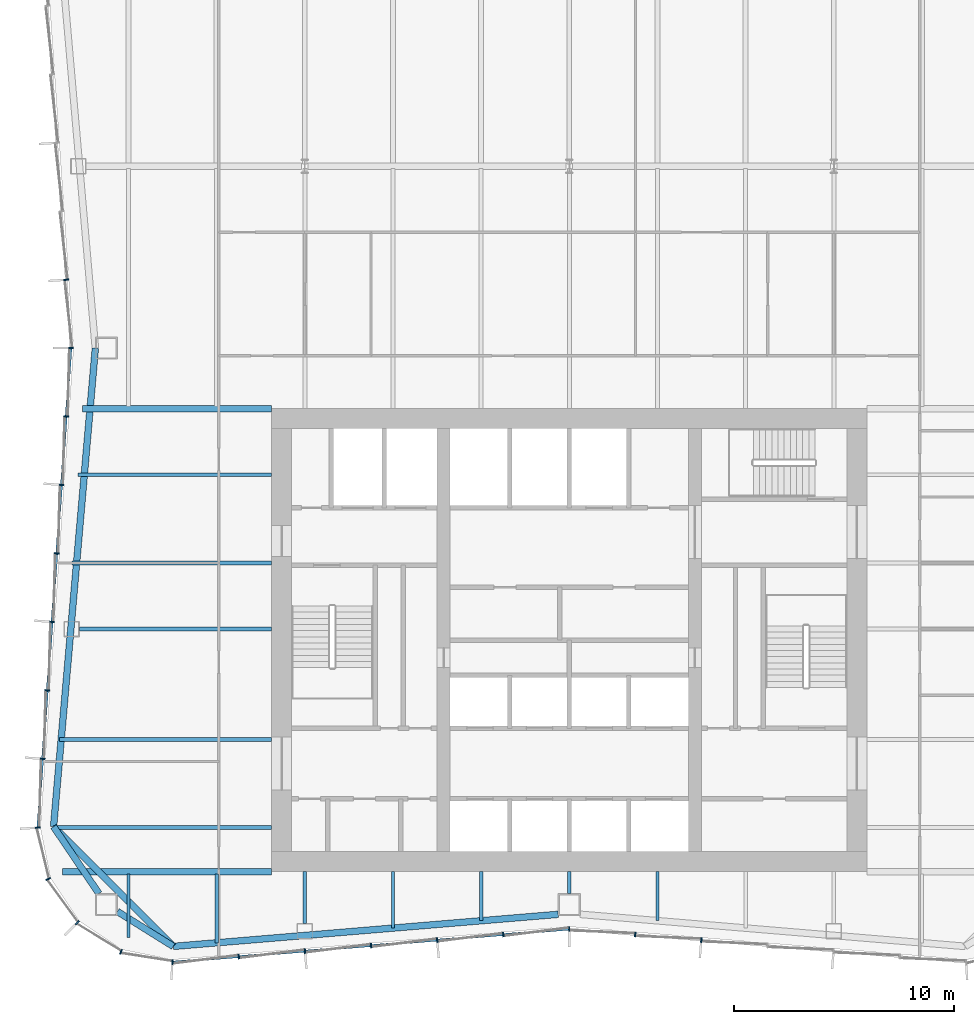
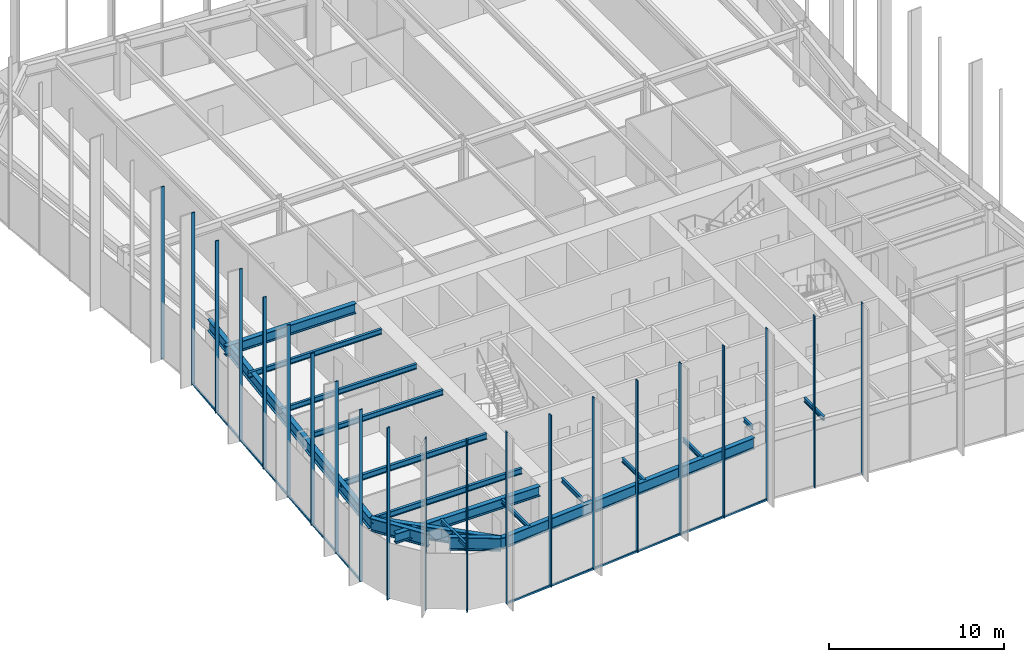
# One storey, part 2 of 13: 23 members, 19 beams, 3 elements without a shape of their own.
"""IFC4 building model written with IfcOpenShell, lengths in metres."""

from ifc_helpers import new_model, si_unit, direction, frame, origin, origin_2d, place, context, subcontext, project, spatial, rectangle, i_section, extrude, material, material_profile, profile_set, type_object, element, aggregate, save


model = new_model("IFC4")

# Units and contexts
model_context = context("Model", 3, precision=1e-05, world=origin(), true_north=direction((0.0, 1.0)))
body_context = subcontext(model_context, "Body", "Model", "MODEL_VIEW")
ifc_project = project(units=[si_unit("LENGTHUNIT", "METRE"), si_unit("AREAUNIT", "SQUARE_METRE"), si_unit("VOLUMEUNIT", "CUBIC_METRE"), si_unit("PLANEANGLEUNIT", "RADIAN"), si_unit("MASSUNIT", "GRAM", prefix="KILO")], contexts=[model_context])

# Site, building, storey
site_placement = place(None, origin())
site = spatial("IfcSite", under=ifc_project, at=site_placement, CompositionType="ELEMENT")
building_placement = place(site_placement, origin())
building = spatial("IfcBuilding", under=site, at=building_placement, Name="Verdant Reach Tower", CompositionType="ELEMENT")
storey_placement = place(building_placement, frame((0.0, 0.0, 206.0)))
storey = spatial("IfcBuildingStorey", under=building, at=storey_placement, Name="L47", CompositionType="ELEMENT", Elevation=206.0)

# Curtain wall, members
ifc_material_1 = material(Name="Anodised aluminium", Category="aluminium")
curtain_wall_type = type_object("IfcCurtainWallType", Name="EN-CW SYSTEM Z3", PredefinedType="NOTDEFINED", material=ifc_material_1)
curtain_wall_1_placement = place(storey_placement, origin())
curtain_wall_1 = element("IfcCurtainWall", 1, at=curtain_wall_1_placement, inside=storey, type_object=curtain_wall_type, Name="Curtain wall west, L47", PredefinedType="NOTDEFINED")
ifc_material_profile_1 = material_profile(ifc_material_1, rectangle(XDim=0.218017578125, YDim=0.06591796875, at=origin_2d()), Name="Mullion 66x218")
ifc_profile_set_1 = profile_set([ifc_material_profile_1], Name="Anodised aluminium")
member_type_1 = type_object("IfcMemberType", Name="EN-MULLION Z3", PredefinedType="MULLION", material=ifc_profile_set_1)
member_1_placement = place(storey_placement, frame((-22.822998046875, 44.349609375, -0.35009765625), z_axis=(0.0, 0.0, 1.0), x_axis=(-0.997630328423, -0.068802091615, 0.0)))
member_1 = element("IfcMember", 2, at=member_1_placement, type_object=member_type_1, Name="Mullion west face part 1 7, L47", PredefinedType="MULLION", context=body_context, shape_type="SweptSolid", body=[
    extrude(rectangle(XDim=0.218017578125, YDim=0.06591796875, at=origin_2d()), origin(), (0.0, 0.0, 1.0), 12.0),
])
member_2_placement = place(storey_placement, frame((-22.60888671875, 41.25, -0.35009765625), z_axis=(0.0, 0.0, 1.0), x_axis=(-1.0, 0.0, 0.0)))
member_2 = element("IfcMember", 3, at=member_2_placement, type_object=member_type_1, Name="Mullion west face part 2 1, L47", PredefinedType="MULLION", context=body_context, shape_type="SweptSolid", body=[
    extrude(rectangle(XDim=0.218017578125, YDim=0.06591796875, at=origin_2d()), origin(), (0.0, 0.0, 1.0), 12.0),
])
member_3_placement = place(storey_placement, frame((-22.822998046875, 38.150390625, -0.35009765625), z_axis=(0.0, 0.0, 1.0), x_axis=(-0.997630328423, 0.068802091615, 0.0)))
member_3 = element("IfcMember", 4, at=member_3_placement, type_object=member_type_1, Name="Mullion west face part 2 2, L47", PredefinedType="MULLION", context=body_context, shape_type="SweptSolid", body=[
    extrude(rectangle(XDim=0.218017578125, YDim=0.06591796875, at=origin_2d()), origin(), (0.0, 0.0, 1.0), 12.0),
])
member_4_placement = place(storey_placement, frame((-23.037353515625, 35.043212890625, -0.35009765625), z_axis=(0.0, 0.0, 1.0), x_axis=(-0.997630328423, 0.068802091615, 0.0)))
member_4 = element("IfcMember", 5, at=member_4_placement, type_object=member_type_1, Name="Mullion west face part 2 3, L47", PredefinedType="MULLION", context=body_context, shape_type="SweptSolid", body=[
    extrude(rectangle(XDim=0.218017578125, YDim=0.06591796875, at=origin_2d()), origin(), (0.0, 0.0, 1.0), 12.0),
])
member_5_placement = place(storey_placement, frame((-23.251708984375, 31.93603515625, -0.35009765625), z_axis=(0.0, 0.0, 1.0), x_axis=(-0.997630328423, 0.068802091615, 0.0)))
member_5 = element("IfcMember", 6, at=member_5_placement, type_object=member_type_1, Name="Mullion west face part 2 4, L47", PredefinedType="MULLION", context=body_context, shape_type="SweptSolid", body=[
    extrude(rectangle(XDim=0.218017578125, YDim=0.06591796875, at=origin_2d()), origin(), (0.0, 0.0, 1.0), 12.0),
])
member_6_placement = place(storey_placement, frame((-23.4658203125, 28.828857421875, -0.35009765625), z_axis=(0.0, 0.0, 1.0), x_axis=(-0.997630328423, 0.068802091615, 0.0)))
member_6 = element("IfcMember", 7, at=member_6_placement, type_object=member_type_1, Name="Mullion west face part 2 5, L47", PredefinedType="MULLION", context=body_context, shape_type="SweptSolid", body=[
    extrude(rectangle(XDim=0.218017578125, YDim=0.06591796875, at=origin_2d()), origin(), (0.0, 0.0, 1.0), 12.0),
])
member_7_placement = place(storey_placement, frame((-23.68017578125, 25.7216796875, -0.35009765625), z_axis=(0.0, 0.0, 1.0), x_axis=(-0.997630328423, 0.068802091615, 0.0)))
member_7 = element("IfcMember", 8, at=member_7_placement, type_object=member_type_1, Name="Mullion west face part 2 6, L47", PredefinedType="MULLION", context=body_context, shape_type="SweptSolid", body=[
    extrude(rectangle(XDim=0.218017578125, YDim=0.06591796875, at=origin_2d()), origin(), (0.0, 0.0, 1.0), 12.0),
])
member_8_placement = place(storey_placement, frame((-23.89453125, 22.61474609375, -0.35009765625), z_axis=(0.0, 0.0, 1.0), x_axis=(-0.997630328423, 0.068802091615, 0.0)))
member_8 = element("IfcMember", 9, at=member_8_placement, type_object=member_type_1, Name="Mullion west face part 2 7, L47", PredefinedType="MULLION", context=body_context, shape_type="SweptSolid", body=[
    extrude(rectangle(XDim=0.218017578125, YDim=0.06591796875, at=origin_2d()), origin(), (0.0, 0.0, 1.0), 12.0),
])

curtain_wall_2_placement = place(storey_placement, origin())
curtain_wall_2 = element("IfcCurtainWall", 10, at=curtain_wall_2_placement, inside=storey, type_object=curtain_wall_type, Name="Curtain wall south-west corner, L47", PredefinedType="NOTDEFINED")
member_9_placement = place(storey_placement, frame((-24.10888671875, 19.4931640625, -0.35009765625), z_axis=(0.0, 0.0, 1.0), x_axis=(-0.997969180898, -0.063698618332, 0.0)))
member_9 = element("IfcMember", 11, at=member_9_placement, type_object=member_type_1, Name="Mullion south-west corner 1, L47", PredefinedType="MULLION", context=body_context, shape_type="SweptSolid", body=[
    extrude(rectangle(XDim=0.218017578125, YDim=0.06591796875, at=origin_2d()), origin(), (0.0, 0.0, 1.0), 12.0),
])
member_10_placement = place(storey_placement, frame((-23.64404296875, 17.162109375, -0.35009765625), z_axis=(0.0, 0.0, 1.0), x_axis=(-0.923875215753, -0.382693853776, 0.0)))
member_10 = element("IfcMember", 12, at=member_10_placement, type_object=member_type_1, Name="Mullion south-west corner 2, L47", PredefinedType="MULLION", context=body_context, shape_type="SweptSolid", body=[
    extrude(rectangle(XDim=0.218017578125, YDim=0.06591796875, at=origin_2d()), origin(), (0.0, 0.0, 1.0), 12.0),
])
member_11_placement = place(storey_placement, frame((-22.319580078125, 15.180419921875, -0.35009765625), z_axis=(0.0, 0.0, 1.0), x_axis=(-0.707106781187, -0.707106781187, 0.0)))
member_11 = element("IfcMember", 13, at=member_11_placement, type_object=member_type_1, Name="Mullion south-west corner 3, L47", PredefinedType="MULLION", context=body_context, shape_type="SweptSolid", body=[
    extrude(rectangle(XDim=0.218017578125, YDim=0.06591796875, at=origin_2d()), origin(), (0.0, 0.0, 1.0), 12.0),
])
member_12_placement = place(storey_placement, frame((-20.337890625, 13.85595703125, -0.35009765625), z_axis=(0.0, 0.0, 1.0), x_axis=(-0.382693853776, -0.923875215753, 0.0)))
member_12 = element("IfcMember", 14, at=member_12_placement, type_object=member_type_1, Name="Mullion south-west corner 4, L47", PredefinedType="MULLION", context=body_context, shape_type="SweptSolid", body=[
    extrude(rectangle(XDim=0.218017578125, YDim=0.06591796875, at=origin_2d()), origin(), (0.0, 0.0, 1.0), 12.0),
])
aggregate(curtain_wall_2, [member_9, member_10, member_11, member_12])

curtain_wall_3_placement = place(storey_placement, origin())
curtain_wall_3 = element("IfcCurtainWall", 15, at=curtain_wall_3_placement, inside=storey, type_object=curtain_wall_type, Name="Curtain wall south, L47", PredefinedType="NOTDEFINED")
member_13_placement = place(storey_placement, frame((-18.006103515625, 13.39111328125, -0.35009765625), z_axis=(0.0, 0.0, 1.0), x_axis=(-0.056569187765, -0.998398681387, 0.0)))
member_13 = element("IfcMember", 16, at=member_13_placement, type_object=member_type_1, Name="Mullion south face part 1 1, L47", PredefinedType="MULLION", context=body_context, shape_type="SweptSolid", body=[
    extrude(rectangle(XDim=0.218017578125, YDim=0.06591796875, at=origin_2d()), origin(), (0.0, 0.0, 1.0), 12.0),
])
member_14_placement = place(storey_placement, frame((-14.990966796875, 13.641357421875, -0.35009765625), z_axis=(0.0, 0.0, 1.0), x_axis=(0.083045479859, -0.996545758244, 0.0)))
member_14 = element("IfcMember", 17, at=member_14_placement, type_object=member_type_1, Name="Mullion south face part 1 2, L47", PredefinedType="MULLION", context=body_context, shape_type="SweptSolid", body=[
    extrude(rectangle(XDim=0.218017578125, YDim=0.06591796875, at=origin_2d()), origin(), (0.0, 0.0, 1.0), 12.0),
])
member_15_placement = place(storey_placement, frame((-11.990966796875, 13.891357421875, -0.35009765625), z_axis=(0.0, 0.0, 1.0), x_axis=(0.083045479859, -0.996545758244, 0.0)))
member_15 = element("IfcMember", 18, at=member_15_placement, type_object=member_type_1, Name="Mullion south face part 1 3, L47", PredefinedType="MULLION", context=body_context, shape_type="SweptSolid", body=[
    extrude(rectangle(XDim=0.218017578125, YDim=0.06591796875, at=origin_2d()), origin(), (0.0, 0.0, 1.0), 12.0),
])
member_16_placement = place(storey_placement, frame((-8.990966796875, 14.141357421875, -0.35009765625), z_axis=(0.0, 0.0, 1.0), x_axis=(0.083045479859, -0.996545758244, 0.0)))
member_16 = element("IfcMember", 19, at=member_16_placement, type_object=member_type_1, Name="Mullion south face part 1 4, L47", PredefinedType="MULLION", context=body_context, shape_type="SweptSolid", body=[
    extrude(rectangle(XDim=0.218017578125, YDim=0.06591796875, at=origin_2d()), origin(), (0.0, 0.0, 1.0), 12.0),
])
member_17_placement = place(storey_placement, frame((-5.990966796875, 14.391357421875, -0.35009765625), z_axis=(0.0, 0.0, 1.0), x_axis=(0.083045479859, -0.996545758244, 0.0)))
member_17 = element("IfcMember", 20, at=member_17_placement, type_object=member_type_1, Name="Mullion south face part 1 5, L47", PredefinedType="MULLION", context=body_context, shape_type="SweptSolid", body=[
    extrude(rectangle(XDim=0.218017578125, YDim=0.06591796875, at=origin_2d()), origin(), (0.0, 0.0, 1.0), 12.0),
])
member_18_placement = place(storey_placement, frame((-2.990966796875, 14.641357421875, -0.35009765625), z_axis=(0.0, 0.0, 1.0), x_axis=(0.083045479859, -0.996545758244, 0.0)))
member_18 = element("IfcMember", 21, at=member_18_placement, type_object=member_type_1, Name="Mullion south face part 1 6, L47", PredefinedType="MULLION", context=body_context, shape_type="SweptSolid", body=[
    extrude(rectangle(XDim=0.218017578125, YDim=0.06591796875, at=origin_2d()), origin(), (0.0, 0.0, 1.0), 12.0),
])
member_19_placement = place(storey_placement, frame((0.0, 14.89111328125, -0.35009765625), z_axis=(0.0, 0.0, 1.0), x_axis=(0.0, -1.0, 0.0)))
member_19 = element("IfcMember", 22, at=member_19_placement, type_object=member_type_1, Name="Mullion south face part 2 1, L47", PredefinedType="MULLION", context=body_context, shape_type="SweptSolid", body=[
    extrude(rectangle(XDim=0.218017578125, YDim=0.06591796875, at=origin_2d()), origin(), (0.0, 0.0, 1.0), 12.0),
])
member_20_placement = place(storey_placement, frame((2.990966796875, 14.641357421875, -0.35009765625), z_axis=(0.0, 0.0, 1.0), x_axis=(-0.083045479859, -0.996545758244, 0.0)))
member_20 = element("IfcMember", 23, at=member_20_placement, type_object=member_type_1, Name="Mullion south face part 2 2, L47", PredefinedType="MULLION", context=body_context, shape_type="SweptSolid", body=[
    extrude(rectangle(XDim=0.218017578125, YDim=0.06591796875, at=origin_2d()), origin(), (0.0, 0.0, 1.0), 12.0),
])
member_21_placement = place(storey_placement, frame((5.990966796875, 14.391357421875, -0.35009765625), z_axis=(0.0, 0.0, 1.0), x_axis=(-0.083045479859, -0.996545758244, 0.0)))
member_21 = element("IfcMember", 24, at=member_21_placement, type_object=member_type_1, Name="Mullion south face part 2 3, L47", PredefinedType="MULLION", context=body_context, shape_type="SweptSolid", body=[
    extrude(rectangle(XDim=0.218017578125, YDim=0.06591796875, at=origin_2d()), origin(), (0.0, 0.0, 1.0), 12.0),
])

# Member
ifc_material_profile_2 = material_profile(ifc_material_1, rectangle(XDim=0.10009765625, YDim=0.1259765625, at=origin_2d()), Name="Transom 126x100")
ifc_profile_set_2 = profile_set([ifc_material_profile_2], Name="Anodised aluminium")
member_type_2 = type_object("IfcMemberType", Name="EN-TRANSOM Z3", PredefinedType="USERDEFINED", material=ifc_profile_set_2)
member_22_placement = place(storey_placement, frame((-22.611328125, 41.217041015625, -0.287109375), z_axis=(-0.068764326054, -0.997632932226, 0.0), x_axis=(0.997632932226, -0.068764326054, 0.0)))
member_22 = element("IfcMember", 25, at=member_22_placement, type_object=member_type_2, Name="Transom west face part 2 1.1, L47", ObjectType="TRANSOM", PredefinedType="USERDEFINED", context=body_context, shape_type="SweptSolid", body=[
    extrude(rectangle(XDim=0.10009765625, YDim=0.1259765625, at=origin_2d()), origin(), (0.0, 0.0, 1.0), 21.74267578125),
])

aggregate(curtain_wall_1, [member_1, member_2, member_3, member_4, member_5, member_6, member_7, member_8, member_22])

member_23_placement = place(storey_placement, frame((-17.973388671875, 13.393798828125, -0.287109375), z_axis=(0.996548750467, 0.083009565369, 0.0), x_axis=(-0.083009565369, 0.996548750467, 0.0)))
member_23 = element("IfcMember", 26, at=member_23_placement, type_object=member_type_2, Name="Transom south face part 1 1.1, L47", ObjectType="TRANSOM", PredefinedType="USERDEFINED", context=body_context, shape_type="SweptSolid", body=[
    extrude(rectangle(XDim=0.10009765625, YDim=0.1259765625, at=origin_2d()), origin(), (0.0, 0.0, 1.0), 18.00244140625),
])

aggregate(curtain_wall_3, [member_13, member_14, member_15, member_16, member_17, member_18, member_23, member_19, member_20, member_21])

# Beams
ifc_material_2 = material(Name="Steel S355", Category="steel")
ifc_material_profile_3 = material_profile(ifc_material_2, i_section(OverallWidth=0.300048828125, OverallDepth=0.699951171875, WebThickness=0.01708984375, FlangeThickness=0.031982421875, FilletRadius=0.027099609375, at=origin_2d()), Name="HEB 700")
ifc_profile_set_3 = profile_set([ifc_material_profile_3], Name="Steel S355")
beam_type_1 = type_object("IfcBeamType", Name="ST-BEAM-HEB700", PredefinedType="BEAM", material=ifc_profile_set_3)
beam_1_placement = place(storey_placement, frame((-13.5, 38.5, 3.52001953125), z_axis=(-1.0, 0.0, 0.0), x_axis=(0.0, -1.0, 0.0)))
element("IfcBeam", 27, at=beam_1_placement, inside=storey, type_object=beam_type_1, Name="Trimmer beam, L47", PredefinedType="BEAM", context=body_context, shape_type="SweptSolid", body=[
    extrude(i_section(OverallWidth=0.300048828125, OverallDepth=0.699951171875, WebThickness=0.01708984375, FlangeThickness=0.031982421875, FilletRadius=0.027099609375, at=origin_2d()), origin(), (0.0, 0.0, 1.0), 8.588134765625),
])
beam_2_placement = place(storey_placement, frame((-13.5, 17.5, 3.52001953125), z_axis=(-1.0, 0.0, 0.0), x_axis=(0.0, -1.0, 0.0)))
element("IfcBeam", 28, at=beam_2_placement, inside=storey, type_object=beam_type_1, Name="Trimmer beam, L47", PredefinedType="BEAM", context=body_context, shape_type="SweptSolid", body=[
    extrude(i_section(OverallWidth=0.300048828125, OverallDepth=0.699951171875, WebThickness=0.01708984375, FlangeThickness=0.031982421875, FilletRadius=0.027099609375, at=origin_2d()), origin(), (0.0, 0.0, 1.0), 9.490478515625),
])
ifc_material_profile_4 = material_profile(ifc_material_2, i_section(OverallWidth=0.302001953125, OverallDepth=0.909912109375, WebThickness=0.02099609375, FlangeThickness=0.0400390625, FilletRadius=0.030029296875, at=origin_2d()), Name="HEM 900")
ifc_profile_set_4 = profile_set([ifc_material_profile_4], Name="Steel S355")
beam_type_2 = type_object("IfcBeamType", Name="ST-BEAM-HEM900", PredefinedType="BEAM", material=ifc_profile_set_4)
beam_3_placement = place(storey_placement, frame((-20.5, 15.687744140625, 3.4150390625), z_axis=(0.848163521635, -0.529734500073, 0.0), x_axis=(0.529734500073, 0.848163521635, 0.0)))
element("IfcBeam", 29, at=beam_3_placement, inside=storey, type_object=beam_type_2, Name="Column stub beam, L47", PredefinedType="BEAM", context=body_context, shape_type="SweptSolid", body=[
    extrude(i_section(OverallWidth=0.302001953125, OverallDepth=0.909912109375, WebThickness=0.02099609375, FlangeThickness=0.0400390625, FilletRadius=0.030029296875, at=origin_2d()), origin(), (0.0, 0.0, 1.0), 2.98779296875),
])
beam_4_placement = place(storey_placement, frame((-21.33837890625, 16.5, 3.4150390625), z_axis=(-0.560703975309, 0.828016335631, 0.0), x_axis=(-0.828016335631, -0.560703975309, 0.0)))
element("IfcBeam", 30, at=beam_4_placement, inside=storey, type_object=beam_type_2, Name="Column stub beam, L47", PredefinedType="BEAM", context=body_context, shape_type="SweptSolid", body=[
    extrude(i_section(OverallWidth=0.302001953125, OverallDepth=0.909912109375, WebThickness=0.02099609375, FlangeThickness=0.0400390625, FilletRadius=0.030029296875, at=origin_2d()), origin(), (0.0, 0.0, 1.0), 3.669677734375),
])
ifc_material_profile_5 = material_profile(ifc_material_2, i_section(OverallWidth=0.14990234375, OverallDepth=0.300048828125, WebThickness=0.007080078125, FlangeThickness=0.0107421875, FilletRadius=0.014892578125, at=origin_2d()), Name="IPE 300")
ifc_profile_set_5 = profile_set([ifc_material_profile_5], Name="Steel S355")
beam_type_3 = type_object("IfcBeamType", Name="ST-JOIST-IPE300", PredefinedType="JOIST", material=ifc_profile_set_5)
beam_5_placement = place(storey_placement, frame((-20.0, 17.39990234375, 3.719970703125), z_axis=(0.0, -1.0, 0.0), x_axis=(1.0, 0.0, 0.0)))
element("IfcBeam", 31, at=beam_5_placement, inside=storey, type_object=beam_type_3, Name="Floor joist, L47", PredefinedType="JOIST", context=body_context, shape_type="SweptSolid", body=[
    extrude(i_section(OverallWidth=0.14990234375, OverallDepth=0.300048828125, WebThickness=0.007080078125, FlangeThickness=0.0107421875, FilletRadius=0.014892578125, at=origin_2d()), origin(), (0.0, 0.0, 1.0), 2.890380859375),
])
beam_6_placement = place(storey_placement, frame((-16.0, 17.39990234375, 3.719970703125), z_axis=(0.0, -1.0, 0.0), x_axis=(1.0, 0.0, 0.0)))
element("IfcBeam", 32, at=beam_6_placement, inside=storey, type_object=beam_type_3, Name="Floor joist, L47", PredefinedType="JOIST", context=body_context, shape_type="SweptSolid", body=[
    extrude(i_section(OverallWidth=0.14990234375, OverallDepth=0.300048828125, WebThickness=0.007080078125, FlangeThickness=0.0107421875, FilletRadius=0.014892578125, at=origin_2d()), origin(), (0.0, 0.0, 1.0), 3.131103515625),
])
beam_7_placement = place(storey_placement, frame((-12.0, 17.5, 3.719970703125), z_axis=(0.0, -1.0, 0.0), x_axis=(1.0, 0.0, 0.0)))
element("IfcBeam", 33, at=beam_7_placement, inside=storey, type_object=beam_type_3, Name="Floor joist, L47", PredefinedType="JOIST", context=body_context, shape_type="SweptSolid", body=[
    extrude(i_section(OverallWidth=0.14990234375, OverallDepth=0.300048828125, WebThickness=0.007080078125, FlangeThickness=0.0107421875, FilletRadius=0.014892578125, at=origin_2d()), origin(), (0.0, 0.0, 1.0), 2.35009765625),
])
beam_8_placement = place(storey_placement, frame((-8.0, 17.5, 3.719970703125), z_axis=(0.0, -1.0, 0.0), x_axis=(1.0, 0.0, 0.0)))
element("IfcBeam", 34, at=beam_8_placement, inside=storey, type_object=beam_type_3, Name="Floor joist, L47", PredefinedType="JOIST", context=body_context, shape_type="SweptSolid", body=[
    extrude(i_section(OverallWidth=0.14990234375, OverallDepth=0.300048828125, WebThickness=0.007080078125, FlangeThickness=0.0107421875, FilletRadius=0.014892578125, at=origin_2d()), origin(), (0.0, 0.0, 1.0), 2.564697265625),
])
beam_9_placement = place(storey_placement, frame((-4.0, 17.5, 3.719970703125), z_axis=(0.0, -1.0, 0.0), x_axis=(1.0, 0.0, 0.0)))
element("IfcBeam", 35, at=beam_9_placement, inside=storey, type_object=beam_type_3, Name="Floor joist, L47", PredefinedType="JOIST", context=body_context, shape_type="SweptSolid", body=[
    extrude(i_section(OverallWidth=0.14990234375, OverallDepth=0.300048828125, WebThickness=0.007080078125, FlangeThickness=0.0107421875, FilletRadius=0.014892578125, at=origin_2d()), origin(), (0.0, 0.0, 1.0), 2.231201171875),
])
beam_10_placement = place(storey_placement, frame((0.0, 17.5, 3.719970703125), z_axis=(0.0, -1.0, 0.0), x_axis=(1.0, 0.0, 0.0)))
element("IfcBeam", 36, at=beam_10_placement, inside=storey, type_object=beam_type_3, Name="Floor joist, L47", PredefinedType="JOIST", context=body_context, shape_type="SweptSolid", body=[
    extrude(i_section(OverallWidth=0.14990234375, OverallDepth=0.300048828125, WebThickness=0.007080078125, FlangeThickness=0.0107421875, FilletRadius=0.014892578125, at=origin_2d()), origin(), (0.0, 0.0, 1.0), 1.0),
])
beam_11_placement = place(storey_placement, frame((4.0, 17.5, 3.719970703125), z_axis=(0.0, -1.0, 0.0), x_axis=(1.0, 0.0, 0.0)))
element("IfcBeam", 37, at=beam_11_placement, inside=storey, type_object=beam_type_3, Name="Floor joist, L47", PredefinedType="JOIST", context=body_context, shape_type="SweptSolid", body=[
    extrude(i_section(OverallWidth=0.14990234375, OverallDepth=0.300048828125, WebThickness=0.007080078125, FlangeThickness=0.0107421875, FilletRadius=0.014892578125, at=origin_2d()), origin(), (0.0, 0.0, 1.0), 2.231201171875),
])
ifc_material_profile_6 = material_profile(ifc_material_2, i_section(OverallWidth=0.169921875, OverallDepth=0.360107421875, WebThickness=0.008056640625, FlangeThickness=0.0126953125, FilletRadius=0.01806640625, at=origin_2d()), Name="IPE 360")
ifc_profile_set_6 = profile_set([ifc_material_profile_6], Name="Steel S355")
beam_type_4 = type_object("IfcBeamType", Name="ST-JOIST-IPE360", PredefinedType="JOIST", material=ifc_profile_set_6)
beam_12_placement = place(storey_placement, frame((-13.5, 28.5, 3.68994140625), z_axis=(-1.0, 0.0, 0.0), x_axis=(0.0, -1.0, 0.0)))
element("IfcBeam", 38, at=beam_12_placement, inside=storey, type_object=beam_type_4, Name="Floor joist, L47", PredefinedType="JOIST", context=body_context, shape_type="SweptSolid", body=[
    extrude(i_section(OverallWidth=0.169921875, OverallDepth=0.360107421875, WebThickness=0.008056640625, FlangeThickness=0.0126953125, FilletRadius=0.01806640625, at=origin_2d()), origin(), (0.0, 0.0, 1.0), 8.729248046875),
])
beam_13_placement = place(storey_placement, frame((-13.5, 31.5, 3.68994140625), z_axis=(-1.0, 0.0, 0.0), x_axis=(0.0, -1.0, 0.0)))
element("IfcBeam", 39, at=beam_13_placement, inside=storey, type_object=beam_type_4, Name="Floor joist, L47", PredefinedType="JOIST", context=body_context, shape_type="SweptSolid", body=[
    extrude(i_section(OverallWidth=0.169921875, OverallDepth=0.360107421875, WebThickness=0.008056640625, FlangeThickness=0.0126953125, FilletRadius=0.01806640625, at=origin_2d()), origin(), (0.0, 0.0, 1.0), 9.071044921875),
])
beam_14_placement = place(storey_placement, frame((-13.5, 35.5, 3.68994140625), z_axis=(-1.0, 0.0, 0.0), x_axis=(0.0, -1.0, 0.0)))
element("IfcBeam", 40, at=beam_14_placement, inside=storey, type_object=beam_type_4, Name="Floor joist, L47", PredefinedType="JOIST", context=body_context, shape_type="SweptSolid", body=[
    extrude(i_section(OverallWidth=0.169921875, OverallDepth=0.360107421875, WebThickness=0.008056640625, FlangeThickness=0.0126953125, FilletRadius=0.01806640625, at=origin_2d()), origin(), (0.0, 0.0, 1.0), 8.795166015625),
])
ifc_material_profile_7 = material_profile(ifc_material_2, i_section(OverallWidth=0.179931640625, OverallDepth=0.39990234375, WebThickness=0.008544921875, FlangeThickness=0.013427734375, FilletRadius=0.02099609375, at=origin_2d()), Name="IPE 400")
ifc_profile_set_7 = profile_set([ifc_material_profile_7], Name="Steel S355")
beam_type_5 = type_object("IfcBeamType", Name="ST-JOIST-IPE400", PredefinedType="JOIST", material=ifc_profile_set_7)
beam_15_placement = place(storey_placement, frame((-13.5, 19.5, 3.669921875), z_axis=(-1.0, 0.0, 0.0), x_axis=(0.0, -1.0, 0.0)))
element("IfcBeam", 41, at=beam_15_placement, inside=storey, type_object=beam_type_5, Name="Floor joist, L47", PredefinedType="JOIST", context=body_context, shape_type="SweptSolid", body=[
    extrude(i_section(OverallWidth=0.179931640625, OverallDepth=0.39990234375, WebThickness=0.008544921875, FlangeThickness=0.013427734375, FilletRadius=0.02099609375, at=origin_2d()), origin(), (0.0, 0.0, 1.0), 9.88818359375),
])
beam_16_placement = place(storey_placement, frame((-13.5, 23.5, 3.669921875), z_axis=(-1.0, 0.0, 0.0), x_axis=(0.0, -1.0, 0.0)))
element("IfcBeam", 42, at=beam_16_placement, inside=storey, type_object=beam_type_5, Name="Floor joist, L47", PredefinedType="JOIST", context=body_context, shape_type="SweptSolid", body=[
    extrude(i_section(OverallWidth=0.179931640625, OverallDepth=0.39990234375, WebThickness=0.008544921875, FlangeThickness=0.013427734375, FilletRadius=0.02099609375, at=origin_2d()), origin(), (0.0, 0.0, 1.0), 9.622802734375),
])
ifc_material_profile_8 = material_profile(ifc_material_2, i_section(OverallWidth=0.300048828125, OverallDepth=0.800048828125, WebThickness=0.017578125, FlangeThickness=0.032958984375, FilletRadius=0.030029296875, at=origin_2d()), Name="HEB 800")
ifc_profile_set_8 = profile_set([ifc_material_profile_8], Name="Steel S355")
beam_type_6 = type_object("IfcBeamType", Name="ST-SPANDREL-HEB800", PredefinedType="SPANDREL", material=ifc_profile_set_8)
beam_17_placement = place(storey_placement, frame((-0.5, 15.560302734375, 3.469970703125), z_axis=(-0.99654652675, -0.083036257282, 0.0), x_axis=(0.083036257282, -0.99654652675, 0.0)))
element("IfcBeam", 43, at=beam_17_placement, inside=storey, type_object=beam_type_6, Name="Edge beam, L47", PredefinedType="SPANDREL", context=body_context, shape_type="SweptSolid", body=[
    extrude(i_section(OverallWidth=0.300048828125, OverallDepth=0.800048828125, WebThickness=0.017578125, FlangeThickness=0.032958984375, FilletRadius=0.030029296875, at=origin_2d()), origin(), (0.0, 0.0, 1.0), 17.5263671875),
])
beam_18_placement = place(storey_placement, frame((-23.39599609375, 19.53857421875, 3.469970703125), z_axis=(0.086996024331, 0.996208658741, 0.0), x_axis=(-0.996208658741, 0.086996024331, 0.0)))
element("IfcBeam", 44, at=beam_18_placement, inside=storey, type_object=beam_type_6, Name="Edge beam, L47", PredefinedType="SPANDREL", context=body_context, shape_type="SweptSolid", body=[
    extrude(i_section(OverallWidth=0.300048828125, OverallDepth=0.800048828125, WebThickness=0.017578125, FlangeThickness=0.032958984375, FilletRadius=0.030029296875, at=origin_2d()), origin(), (0.0, 0.0, 1.0), 21.7939453125),
])
ifc_material_profile_9 = material_profile(ifc_material_2, i_section(OverallWidth=0.302001953125, OverallDepth=0.909912109375, WebThickness=0.02099609375, FlangeThickness=0.0400390625, FilletRadius=0.030029296875, at=origin_2d()), Name="HEM 900")
ifc_profile_set_9 = profile_set([ifc_material_profile_9], Name="Steel S355")
beam_type_7 = type_object("IfcBeamType", Name="ST-SPANDREL-HEM900", PredefinedType="SPANDREL", material=ifc_profile_set_9)
beam_19_placement = place(storey_placement, frame((-17.9658203125, 14.10498046875, 3.4150390625), z_axis=(-0.706884275642, 0.707329216738, 0.0), x_axis=(-0.707329216738, -0.706884275642, 0.0)))
element("IfcBeam", 45, at=beam_19_placement, inside=storey, type_object=beam_type_7, Name="Edge beam, L47", PredefinedType="SPANDREL", context=body_context, shape_type="SweptSolid", body=[
    extrude(i_section(OverallWidth=0.302001953125, OverallDepth=0.909912109375, WebThickness=0.02099609375, FlangeThickness=0.0400390625, FilletRadius=0.030029296875, at=origin_2d()), origin(), (0.0, 0.0, 1.0), 7.681884765625),
])

save(model, "model.ifc")
